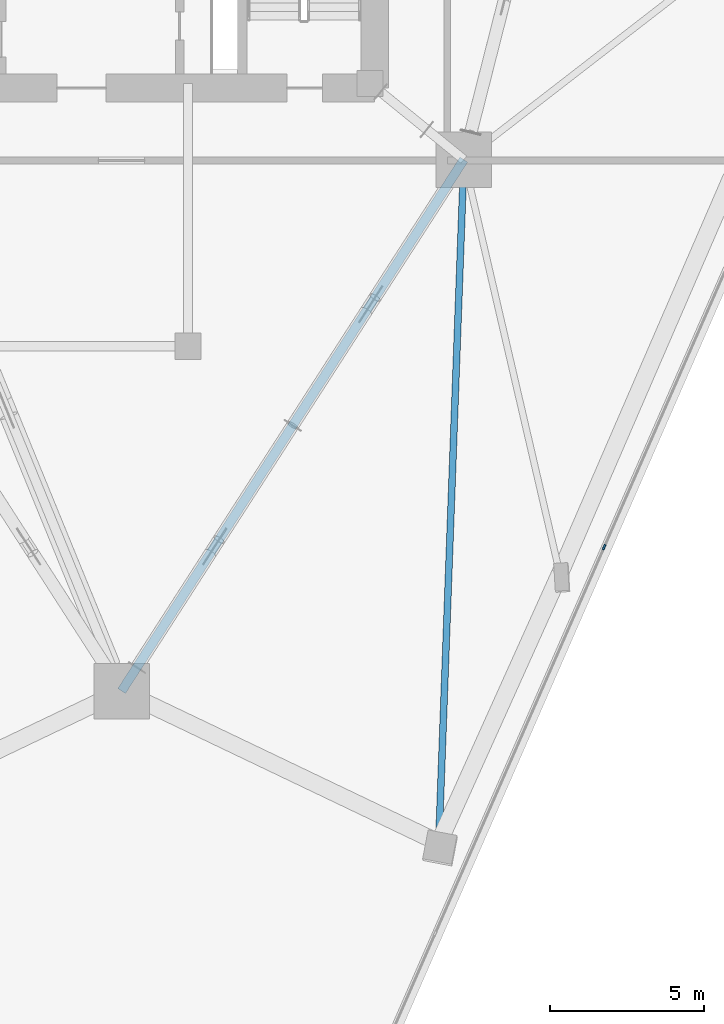
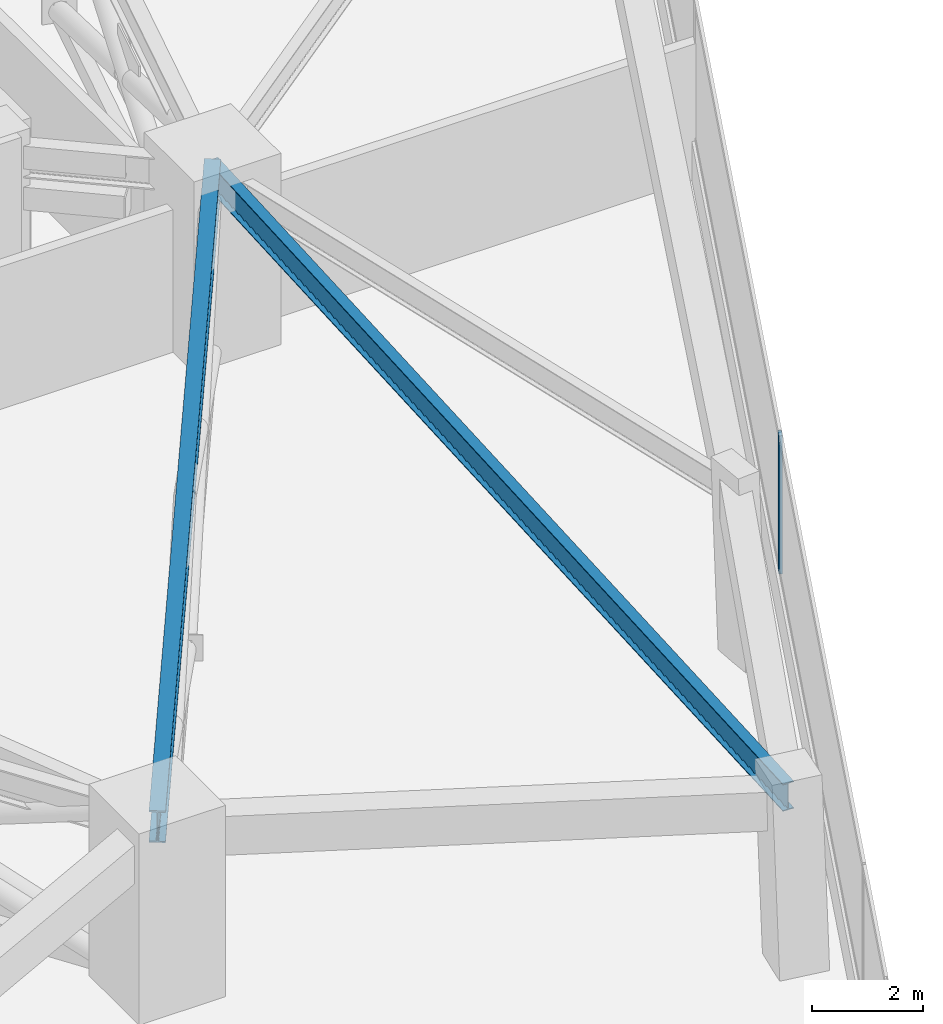
# One storey, part 5 of 20: 2 beams, 1 member, 1 element without a shape of its own.
"""IFC4 building model written with IfcOpenShell, lengths in metres."""

from ifc_helpers import new_model, si_unit, direction, frame, origin, origin_2d, place, context, subcontext, project, spatial, rectangle, i_section, extrude, material, layer, layer_set, material_profile, profile_set, type_object, element, aggregate, save


model = new_model("IFC4")

# Units and contexts
model_context = context("Model", 3, precision=1e-05, world=origin(), true_north=direction((0.0, 1.0)))
body_context = subcontext(model_context, "Body", "Model", "MODEL_VIEW")
ifc_project = project(units=[si_unit("LENGTHUNIT", "METRE"), si_unit("AREAUNIT", "SQUARE_METRE"), si_unit("VOLUMEUNIT", "CUBIC_METRE"), si_unit("PLANEANGLEUNIT", "RADIAN"), si_unit("MASSUNIT", "GRAM", prefix="KILO")], contexts=[model_context])

# Site, building, storey
site_placement = place(None, origin())
site = spatial("IfcSite", under=ifc_project, at=site_placement, CompositionType="ELEMENT")
building_placement = place(site_placement, origin())
building = spatial("IfcBuilding", under=site, at=building_placement, Name="Talyreon Biosciences Tower", CompositionType="ELEMENT")
storey_placement = place(building_placement, frame((0.0, 0.0, 66.60009765625)))
storey = spatial("IfcBuildingStorey", under=building, at=storey_placement, Name="L17", CompositionType="ELEMENT", Elevation=66.60009765625)

# Curtain wall, member
ifc_material_1 = material(Name="Thermally broken aluminium and low-E glazing", Category="aluminium")
ifc_layer = layer(ifc_material_1, 0.195068359375)
ifc_layer_set = layer_set([ifc_layer], Name="Thermally broken aluminium and low-E glazing")
curtain_wall_type = type_object("IfcCurtainWallType", Name="CurtainWall_Zone1WetLab", PredefinedType="NOTDEFINED", material=ifc_layer_set)
curtain_wall_placement = place(storey_placement, origin())
curtain_wall = element("IfcCurtainWall", 1, at=curtain_wall_placement, inside=storey, type_object=curtain_wall_type, Name="L17 Unitised Curtain Wall FCW-L17-08", PredefinedType="NOTDEFINED")
ifc_material_2 = material(Name="Anodised thermally broken aluminium", Category="aluminium")
ifc_material_profile_1 = material_profile(ifc_material_2, rectangle(XDim=0.06494140625, YDim=0.179931640625, at=origin_2d()), Name="ALUM MULLION 65x180")
ifc_profile_set_1 = profile_set([ifc_material_profile_1], Name="Anodised thermally broken aluminium")
member_type = type_object("IfcMemberType", Name="CWMullion_65x180", PredefinedType="MULLION", material=ifc_profile_set_1)
member_placement = place(storey_placement, frame((81.630615234375, 46.32763671875, 0.809814453125), z_axis=(0.0, 0.0, 1.0), x_axis=(0.916151953082, -0.400831135099, 0.0)))
member = element("IfcMember", 2, at=member_placement, type_object=member_type, Name="CW2 mullion 4", PredefinedType="MULLION", context=body_context, shape_type="SweptSolid", body=[
    extrude(rectangle(XDim=0.06494140625, YDim=0.179931640625, at=origin_2d()), origin(), (0.0, 0.0, 1.0), 3.0400390625),
])
aggregate(curtain_wall, [member])

# Beams
ifc_material_3 = material(Name="Steel SM355", Category="steel")
ifc_material_profile_2 = material_profile(ifc_material_3, i_section(OverallWidth=0.300048828125, OverallDepth=0.699951171875, WebThickness=0.01708984375, FlangeThickness=0.031982421875, FilletRadius=0.027099609375, at=origin_2d()), Name="HE700B")
ifc_profile_set_2 = profile_set([ifc_material_profile_2], Name="Steel SM355")
beam_type_1 = type_object("IfcBeamType", Name="SteelGirder_HE700B", PredefinedType="BEAM", material=ifc_profile_set_2)
beam_1_placement = place(storey_placement, frame((66.0, 41.6669921875, 3.5), z_axis=(0.541463723609, 0.840724114092, 0.0), x_axis=(-0.840724114092, 0.541463723609, 0.0)))
element("IfcBeam", 3, at=beam_1_placement, inside=storey, type_object=beam_type_1, Name="L17 Mega-Ring Girder 1", PredefinedType="BEAM", context=body_context, shape_type="SweptSolid", body=[
    extrude(i_section(OverallWidth=0.300048828125, OverallDepth=0.699951171875, WebThickness=0.01708984375, FlangeThickness=0.031982421875, FilletRadius=0.027099609375, at=origin_2d()), origin(), (0.0, 0.0, 1.0), 20.474365234375),
])
ifc_material_profile_3 = material_profile(ifc_material_3, i_section(OverallWidth=0.219970703125, OverallDepth=0.60009765625, WebThickness=0.011962890625, FlangeThickness=0.01904296875, FilletRadius=0.02392578125, at=origin_2d()), Name="IPE600")
ifc_profile_set_3 = profile_set([ifc_material_profile_3], Name="Steel SM355")
beam_type_2 = type_object("IfcBeamType", Name="SteelJoist_IPE600", PredefinedType="JOIST", material=ifc_profile_set_3)
beam_2_placement = place(storey_placement, frame((77.086181640625, 58.88037109375, 3.5498046875), z_axis=(-0.036664177486, -0.999327643013, 0.0), x_axis=(0.999327643013, -0.036664177486, 0.0)))
element("IfcBeam", 4, at=beam_2_placement, inside=storey, type_object=beam_type_2, Name="L17 Radial Composite Floor Joist PC-SE1", PredefinedType="JOIST", context=body_context, shape_type="SweptSolid", body=[
    extrude(i_section(OverallWidth=0.219970703125, OverallDepth=0.60009765625, WebThickness=0.011962890625, FlangeThickness=0.01904296875, FilletRadius=0.02392578125, at=origin_2d()), origin(), (0.0, 0.0, 1.0), 22.140625),
])

save(model, "model.ifc")
